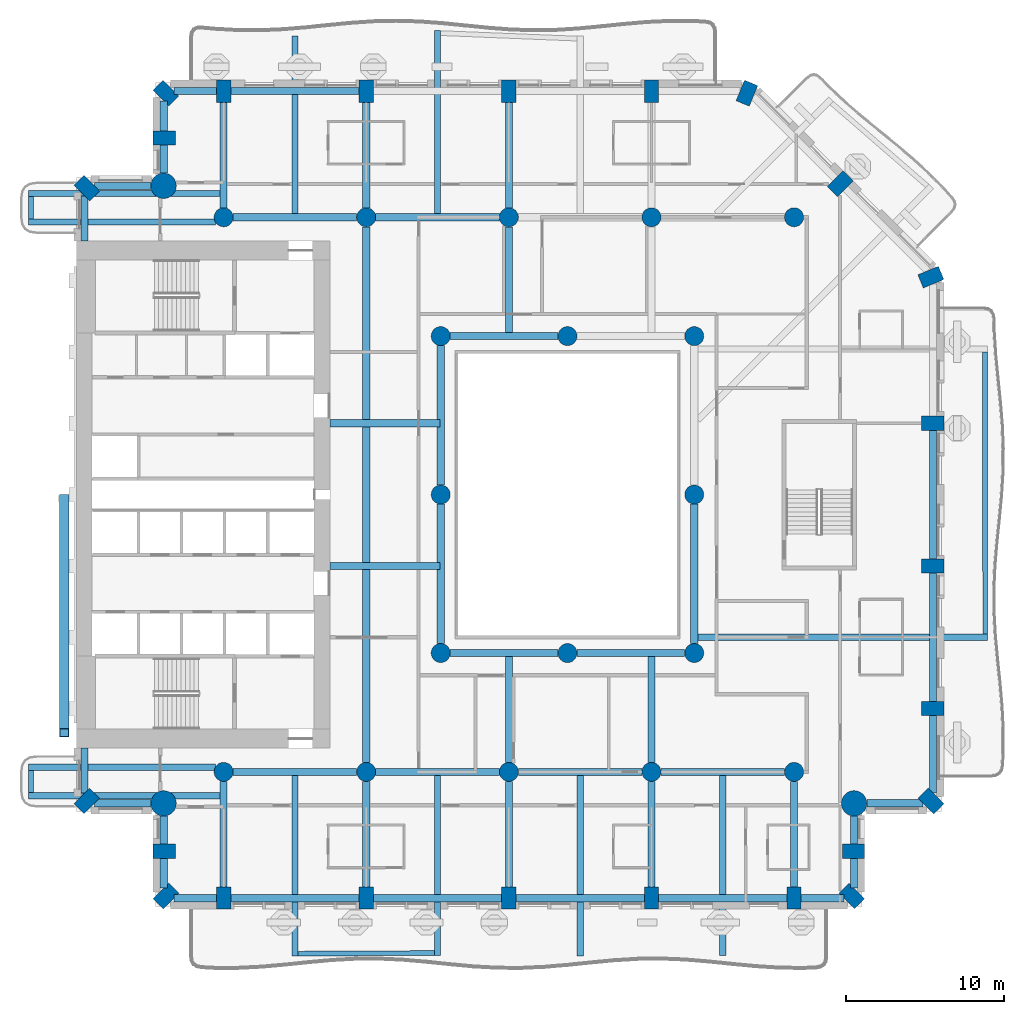
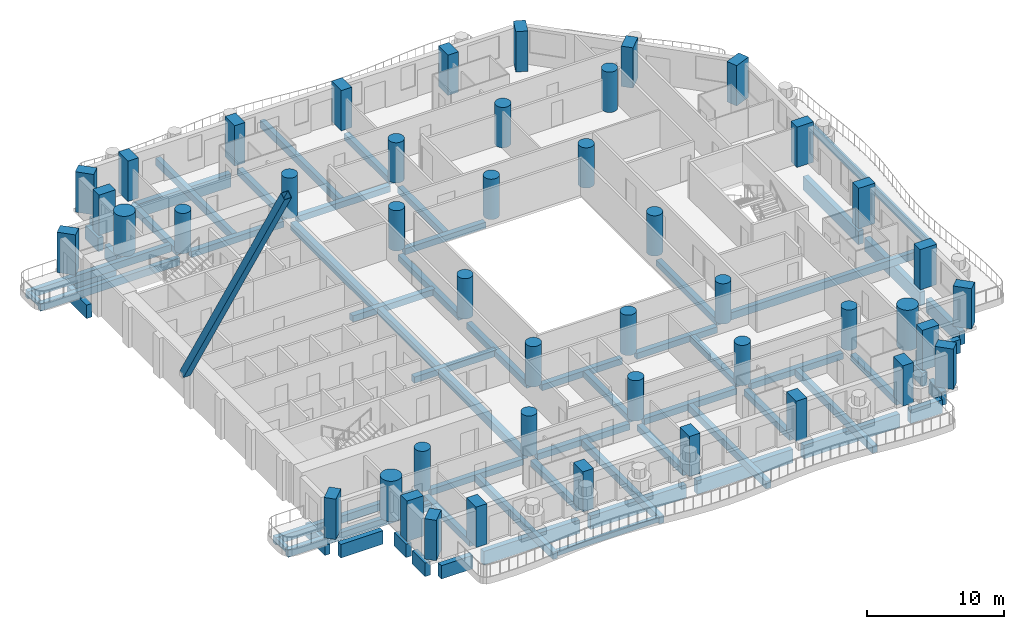
# One storey, part 1 of 20: 65 beams, 45 columns, 1 member.
"""IFC4 building model written with IfcOpenShell, lengths in metres."""

from ifc_helpers import new_model, si_unit, direction, frame, origin, origin_2d, place, context, subcontext, project, spatial, rectangle, hollow_rectangle, circle, extrude, material, material_profile, profile_set, type_object, element, save


model = new_model("IFC4")

# Units and contexts
model_context = context("Model", 3, precision=1e-05, world=origin(), true_north=direction((0.0, 1.0)))
body_context = subcontext(model_context, "Body", "Model", "MODEL_VIEW")
ifc_project = project(units=[si_unit("LENGTHUNIT", "METRE"), si_unit("AREAUNIT", "SQUARE_METRE"), si_unit("VOLUMEUNIT", "CUBIC_METRE"), si_unit("PLANEANGLEUNIT", "RADIAN"), si_unit("MASSUNIT", "GRAM", prefix="KILO")], contexts=[model_context])

# Site, building, storey
site_placement = place(None, origin())
site = spatial("IfcSite", under=ifc_project, at=site_placement, CompositionType="ELEMENT")
building_placement = place(site_placement, origin())
building = spatial("IfcBuilding", under=site, at=building_placement, Name="Cypress Arch Tower", CompositionType="ELEMENT")
storey_placement = place(building_placement, frame((0.0, 0.0, 73.5)))
storey = spatial("IfcBuildingStorey", under=building, at=storey_placement, Name="L12", CompositionType="ELEMENT", Elevation=73.5)

# Columns
ifc_material_1 = material(Name="Concrete C80/95", Category="concrete")
ifc_material_profile_1 = material_profile(ifc_material_1, rectangle(XDim=0.89990234375, YDim=1.39990234375, at=origin_2d()), Name="RC 900x1400")
ifc_profile_set_1 = profile_set([ifc_material_profile_1], Name="Concrete C80/95")
column_type_1 = type_object("IfcColumnType", Name="Column RC 900x1400 Concrete C80/95", PredefinedType="COLUMN", material=ifc_profile_set_1)
for number, where, z_axis, x_axis, name in (
    (1, (-29.3369140625, 19.3369140625, 0.0), (0.0, 0.0, 1.0), (-0.707106781187, -0.707106781187, 0.0), "Column L12 CA00"),
    (2, (-29.3369140625, -19.3369140625, 0.0), (0.0, 0.0, 1.0), (0.707106781187, -0.707106781187, 0.0), "Column L12 CA01"),
    (3, (-24.449951171875, -22.5, 0.0), (0.0, 0.0, 1.0), (0.0, -1.0, 0.0), "Column L12 CA03"),
    (4, (-24.3369140625, -25.3369140625, 0.0), (0.0, 0.0, 1.0), (0.707106781187, -0.707106781187, 0.0), "Column L12 CA04"),
    (5, (-20.699951171875, -25.449951171875, 0.0), (0.0, 0.0, 1.0), (1.0, 0.0, 0.0), "Column L12 CA05"),
    (6, (-11.699951171875, -25.449951171875, 0.0), (0.0, 0.0, 1.0), (1.0, 0.0, 0.0), "Column L12 CA06"),
    (7, (-2.699951171875, -25.449951171875, 0.0), (0.0, 0.0, 1.0), (1.0, 0.0, 0.0), "Column L12 CA07"),
    (8, (6.300048828125, -25.449951171875, 0.0), (0.0, 0.0, 1.0), (1.0, 0.0, 0.0), "Column L12 CA08"),
    (9, (15.300048828125, -25.449951171875, 0.0), (0.0, 0.0, 1.0), (1.0, 0.0, 0.0), "Column L12 CA09"),
    (10, (18.936767578125, -25.3369140625, 0.0), (0.0, 0.0, 1.0), (0.707106781187, 0.707106781187, 0.0), "Column L12 CA10"),
    (11, (19.050048828125, -22.5, 0.0), (0.0, 0.0, 1.0), (0.0, 1.0, 0.0), "Column L12 CA11"),
    (12, (23.936767578125, -19.3369140625, 0.0), (0.0, 0.0, 1.0), (0.707106781187, 0.707106781187, 0.0), "Column L12 CA13"),
    (13, (24.050048828125, -13.5, 0.0), (0.0, 0.0, 1.0), (0.0, 1.0, 0.0), "Column L12 CA14"),
    (14, (24.050048828125, -4.5, 0.0), (0.0, 0.0, 1.0), (0.0, 1.0, 0.0), "Column L12 CA15"),
    (15, (24.050048828125, 4.5, 0.0), (0.0, 0.0, 1.0), (0.0, 1.0, 0.0), "Column L12 CA16"),
    (16, (23.93115234375, 13.722900390625, 0.0), (0.0, 0.0, 1.0), (-0.382683496864, 0.923879505795, 0.0), "Column L12 CA17"),
    (17, (18.211181640625, 19.611083984375, 0.0), (0.0, 0.0, 1.0), (-0.707106781187, 0.707106781187, 0.0), "Column L12 CA18"),
    (18, (12.322998046875, 25.3310546875, 0.0), (0.0, 0.0, 1.0), (-0.923879505795, 0.382683496864, 0.0), "Column L12 CA19"),
    (19, (6.300048828125, 25.449951171875, 0.0), (0.0, 0.0, 1.0), (-1.0, 0.0, 0.0), "Column L12 CA20"),
    (20, (-2.699951171875, 25.449951171875, 0.0), (0.0, 0.0, 1.0), (-1.0, 0.0, 0.0), "Column L12 CA21"),
    (21, (-11.699951171875, 25.449951171875, 0.0), (0.0, 0.0, 1.0), (-1.0, 0.0, 0.0), "Column L12 CA22"),
    (22, (-20.699951171875, 25.449951171875, 0.0), (0.0, 0.0, 1.0), (-1.0, 0.0, 0.0), "Column L12 CA23"),
    (23, (-24.3369140625, 25.3369140625, 0.0), (0.0, 0.0, 1.0), (-0.707106781187, -0.707106781187, 0.0), "Column L12 CA24"),
    (24, (-24.449951171875, 22.5, 0.0), (0.0, 0.0, 1.0), (0.0, -1.0, 0.0), "Column L12 CA25"),
):
    element("IfcColumn", number, at=place(storey_placement, frame(where, z_axis=z_axis, x_axis=x_axis)), inside=storey, type_object=column_type_1, Name=name, PredefinedType="COLUMN", context=body_context, shape_type="SweptSolid", body=[
        extrude(rectangle(XDim=0.89990234375, YDim=1.39990234375, at=origin_2d()), origin(), (0.0, 0.0, 1.0), 3.60009765625),
    ])
ifc_material_2 = material(Name="Concrete C80/95", Category="concrete")
ifc_material_profile_2 = material_profile(ifc_material_2, circle(Radius=0.60009765625, at=origin_2d()), Name="RC D1200")
ifc_profile_set_2 = profile_set([ifc_material_profile_2], Name="Concrete C80/95")
column_type_2 = type_object("IfcColumnType", Name="Column RC D1200 Concrete C80/95", PredefinedType="COLUMN", material=ifc_profile_set_2)
for number, where, z_axis, x_axis, name in (
    (25, (-20.699951171875, -17.5, 0.0), (0.0, 0.0, 1.0), (1.0, 0.0, 0.0), "Column L12 CIC-L12-CI3S"),
    (26, (-11.699951171875, -17.5, 0.0), (0.0, 0.0, 1.0), (1.0, 0.0, 0.0), "Column L12 CIC-L12-CI4S"),
    (27, (-2.699951171875, -17.5, 0.0), (0.0, 0.0, 1.0), (1.0, 0.0, 0.0), "Column L12 CIC-L12-CI5S"),
    (28, (6.300048828125, -17.5, 0.0), (0.0, 0.0, 1.0), (1.0, 0.0, 0.0), "Column L12 CIC-L12-CI6S"),
    (29, (15.300048828125, -17.5, 0.0), (0.0, 0.0, 1.0), (1.0, 0.0, 0.0), "Column L12 CIC-L12-CI7S"),
    (30, (-20.699951171875, 17.5, 0.0), (0.0, 0.0, 1.0), (1.0, 0.0, 0.0), "Column L12 CIC-L12-CI3N"),
    (31, (-11.699951171875, 17.5, 0.0), (0.0, 0.0, 1.0), (1.0, 0.0, 0.0), "Column L12 CIC-L12-CI4N"),
    (32, (-2.699951171875, 17.5, 0.0), (0.0, 0.0, 1.0), (1.0, 0.0, 0.0), "Column L12 CIC-L12-CI5N"),
    (33, (6.300048828125, 17.5, 0.0), (0.0, 0.0, 1.0), (1.0, 0.0, 0.0), "Column L12 CIC-L12-CI6N"),
    (34, (15.300048828125, 17.5, 0.0), (0.0, 0.0, 1.0), (1.0, 0.0, 0.0), "Column L12 CIC-L12-CI7N"),
    (35, (-7.0, -10.0, 0.0), (0.0, 0.0, 1.0), (1.0, 0.0, 0.0), "Column L12 RNG-L12-G-7-10"),
    (36, (-7.0, 0.0, 0.0), (0.0, 0.0, 1.0), (1.0, 0.0, 0.0), "Column L12 RNG-L12-G-7+0"),
    (37, (-7.0, 10.0, 0.0), (0.0, 0.0, 1.0), (1.0, 0.0, 0.0), "Column L12 RNG-L12-G-7+10"),
    (38, (1.0, -10.0, 0.0), (0.0, 0.0, 1.0), (1.0, 0.0, 0.0), "Column L12 RNG-L12-G+1-10"),
    (39, (1.0, 10.0, 0.0), (0.0, 0.0, 1.0), (1.0, 0.0, 0.0), "Column L12 RNG-L12-G+1+10"),
    (40, (9.0, -10.0, 0.0), (0.0, 0.0, 1.0), (1.0, 0.0, 0.0), "Column L12 RNG-L12-G+9-10"),
    (41, (9.0, 0.0, 0.0), (0.0, 0.0, 1.0), (1.0, 0.0, 0.0), "Column L12 RNG-L12-G+9+0"),
    (42, (9.0, 10.0, 0.0), (0.0, 0.0, 1.0), (1.0, 0.0, 0.0), "Column L12 RNG-L12-G+9+10"),
):
    element("IfcColumn", number, at=place(storey_placement, frame(where, z_axis=z_axis, x_axis=x_axis)), inside=storey, type_object=column_type_2, Name=name, PredefinedType="COLUMN", context=body_context, shape_type="SweptSolid", body=[
        extrude(circle(Radius=0.60009765625, at=origin_2d()), origin(), (0.0, 0.0, 1.0), 3.60009765625),
    ])
ifc_material_3 = material(Name="Concrete C80/95", Category="concrete")
ifc_material_profile_3 = material_profile(ifc_material_3, circle(Radius=0.800048828125, at=origin_2d()), Name="RC D1600")
ifc_profile_set_3 = profile_set([ifc_material_profile_3], Name="Concrete C80/95")
column_type_3 = type_object("IfcColumnType", Name="Mega-column RC D1600 Concrete C80/95", PredefinedType="COLUMN", material=ifc_profile_set_3)
for number, where, z_axis, x_axis, name in (
    (43, (-24.48779296875, -19.48779296875, 0.0), (0.0, 0.0, 1.0), (1.0, 0.0, 0.0), "Column L12 CA02"),
    (44, (19.087890625, -19.48779296875, 0.0), (0.0, 0.0, 1.0), (1.0, 0.0, 0.0), "Column L12 CA12"),
    (45, (-24.48779296875, 19.48779296875, 0.0), (0.0, 0.0, 1.0), (1.0, 0.0, 0.0), "Column L12 CA26"),
):
    element("IfcColumn", number, at=place(storey_placement, frame(where, z_axis=z_axis, x_axis=x_axis)), inside=storey, type_object=column_type_3, Name=name, PredefinedType="COLUMN", context=body_context, shape_type="SweptSolid", body=[
        extrude(circle(Radius=0.800048828125, at=origin_2d()), origin(), (0.0, 0.0, 1.0), 3.60009765625),
    ])

# Beams
ifc_material_4 = material(Name="Concrete C50/60", Category="concrete")
ifc_material_profile_4 = material_profile(ifc_material_4, rectangle(XDim=0.300048828125, YDim=0.449951171875, at=origin_2d()), Name="RC 300x450")
ifc_profile_set_4 = profile_set([ifc_material_profile_4], Name="Concrete C50/60")
beam_type_1 = type_object("IfcBeamType", Name="Balcony edge beam RC 300x450 Concrete C50/60", PredefinedType="BEAM", material=ifc_profile_set_4)
beam_1_placement = place(storey_placement, frame((-16.0, -28.970458984375, -0.52490234375), z_axis=(0.999988762519, 0.004740763168, 0.0), x_axis=(-0.004740763168, 0.999988762519, 0.0)))
element("IfcBeam", 46, at=beam_1_placement, inside=storey, type_object=beam_type_1, Name="Balcony edge beam L12 A03", PredefinedType="BEAM", context=body_context, shape_type="SweptSolid", body=[
    extrude(rectangle(XDim=0.300048828125, YDim=0.449951171875, at=origin_2d()), origin(), (0.0, 0.0, 1.0), 8.60009765625),
])
ifc_material_5 = material(Name="Concrete C50/60", Category="concrete")
ifc_material_profile_5 = material_profile(ifc_material_5, rectangle(XDim=0.300048828125, YDim=0.64990234375, at=origin_2d()), Name="RC 300x650")
ifc_profile_set_5 = profile_set([ifc_material_profile_5], Name="Concrete C50/60")
beam_type_2 = type_object("IfcBeamType", Name="Balcony edge beam RC 300x650 Concrete C50/60", PredefinedType="BEAM", material=ifc_profile_set_5)
beam_2_placement = place(storey_placement, frame((27.3583984375, -8.800048828125, -0.625), z_axis=(-0.000576455798, 0.999999833849, 0.0), x_axis=(-0.999999833849, -0.000576455798, 0.0)))
element("IfcBeam", 47, at=beam_2_placement, inside=storey, type_object=beam_type_2, Name="Balcony edge beam L12 A06", PredefinedType="BEAM", context=body_context, shape_type="SweptSolid", body=[
    extrude(rectangle(XDim=0.300048828125, YDim=0.64990234375, at=origin_2d()), origin(), (0.0, 0.0, 1.0), 17.787841796875),
])
ifc_material_6 = material(Name="Concrete C50/60", Category="concrete")
ifc_material_profile_6 = material_profile(ifc_material_6, rectangle(XDim=0.300048828125, YDim=0.39990234375, at=origin_2d()), Name="RC 300x400")
ifc_profile_set_6 = profile_set([ifc_material_profile_6], Name="Concrete C50/60")
beam_type_3 = type_object("IfcBeamType", Name="Balcony stub beam RC 300x400 Concrete C50/60", PredefinedType="BEAM", material=ifc_profile_set_6)
for number, where, z_axis, x_axis, name in (
    (48, (-32.85009765625, 18.800048828125, -0.5), (0.0, -1.0, 0.0), (1.0, 0.0, 0.0), "Balcony stub beam L12 A00W0"),
    (49, (-32.85009765625, -17.39990234375, -0.5), (0.0, -1.0, 0.0), (1.0, 0.0, 0.0), "Balcony stub beam L12 A00W1"),
):
    element("IfcBeam", number, at=place(storey_placement, frame(where, z_axis=z_axis, x_axis=x_axis)), inside=storey, type_object=beam_type_3, Name=name, PredefinedType="BEAM", context=body_context, shape_type="SweptSolid", body=[
        extrude(rectangle(XDim=0.300048828125, YDim=0.39990234375, at=origin_2d()), origin(), (0.0, 0.0, 1.0), 1.400146484375),
    ])
ifc_material_7 = material(Name="Concrete C50/60", Category="concrete")
ifc_material_profile_7 = material_profile(ifc_material_7, rectangle(XDim=0.39990234375, YDim=0.64990234375, at=origin_2d()), Name="RC 400x650")
ifc_profile_set_7 = profile_set([ifc_material_profile_7], Name="Concrete C50/60")
beam_type_4 = type_object("IfcBeamType", Name="Cantilever beam RC 400x650 Concrete C50/60", PredefinedType="BEAM", material=ifc_profile_set_7)
beam_3_placement = place(storey_placement, frame((-20.925048828125, 19.0, -0.625), z_axis=(-1.0, 0.0, 0.0), x_axis=(0.0, -1.0, 0.0)))
element("IfcBeam", 50, at=beam_3_placement, inside=storey, type_object=beam_type_4, Name="Cantilever beam L12 A00 1", PredefinedType="BEAM", context=body_context, shape_type="SweptSolid", body=[
    extrude(rectangle(XDim=0.39990234375, YDim=0.64990234375, at=origin_2d()), origin(), (0.0, 0.0, 1.0), 12.074951171875),
])
for number, where, z_axis, x_axis, name in (
    (51, (-21.219482421875, 17.199951171875, -0.625), (-1.0, 0.0, 0.0), (0.0, -1.0, 0.0), "Cantilever beam L12 A00 2"),
    (52, (-21.219482421875, -17.199951171875, -0.625), (-1.0, 0.0, 0.0), (0.0, -1.0, 0.0), "Cantilever beam L12 A00 1"),
):
    element("IfcBeam", number, at=place(storey_placement, frame(where, z_axis=z_axis, x_axis=x_axis)), inside=storey, type_object=beam_type_4, Name=name, PredefinedType="BEAM", context=body_context, shape_type="SweptSolid", body=[
        extrude(rectangle(XDim=0.39990234375, YDim=0.64990234375, at=origin_2d()), origin(), (0.0, 0.0, 1.0), 11.780517578125),
    ])
beam_4_placement = place(storey_placement, frame((-20.925048828125, -19.0, -0.625), z_axis=(-1.0, 0.0, 0.0), x_axis=(0.0, -1.0, 0.0)))
element("IfcBeam", 53, at=beam_4_placement, inside=storey, type_object=beam_type_4, Name="Cantilever beam L12 A00 2", PredefinedType="BEAM", context=body_context, shape_type="SweptSolid", body=[
    extrude(rectangle(XDim=0.39990234375, YDim=0.64990234375, at=origin_2d()), origin(), (0.0, 0.0, 1.0), 12.074951171875),
])
beam_5_placement = place(storey_placement, frame((-16.199951171875, -17.72509765625, -0.625), z_axis=(0.0, -1.0, 0.0), x_axis=(1.0, 0.0, 0.0)))
element("IfcBeam", 54, at=beam_5_placement, inside=storey, type_object=beam_type_4, Name="Cantilever beam L12 A03 1", PredefinedType="BEAM", context=body_context, shape_type="SweptSolid", body=[
    extrude(rectangle(XDim=0.39990234375, YDim=0.64990234375, at=origin_2d()), origin(), (0.0, 0.0, 1.0), 11.3955078125),
])
beam_6_placement = place(storey_placement, frame((-7.199951171875, -17.72509765625, -0.625), z_axis=(0.0, -1.0, 0.0), x_axis=(1.0, 0.0, 0.0)))
element("IfcBeam", 55, at=beam_6_placement, inside=storey, type_object=beam_type_4, Name="Cantilever beam L12 A03 2", PredefinedType="BEAM", context=body_context, shape_type="SweptSolid", body=[
    extrude(rectangle(XDim=0.39990234375, YDim=0.64990234375, at=origin_2d()), origin(), (0.0, 0.0, 1.0), 11.3544921875),
])
beam_7_placement = place(storey_placement, frame((1.800048828125, -17.72509765625, -0.625), z_axis=(0.0, -1.0, 0.0), x_axis=(1.0, 0.0, 0.0)))
element("IfcBeam", 56, at=beam_7_placement, inside=storey, type_object=beam_type_4, Name="Cantilever beam L12 A03 3", PredefinedType="BEAM", context=body_context, shape_type="SweptSolid", body=[
    extrude(rectangle(XDim=0.39990234375, YDim=0.64990234375, at=origin_2d()), origin(), (0.0, 0.0, 1.0), 11.39501953125),
])
beam_8_placement = place(storey_placement, frame((10.800048828125, -17.72509765625, -0.625), z_axis=(0.0, -1.0, 0.0), x_axis=(1.0, 0.0, 0.0)))
element("IfcBeam", 57, at=beam_8_placement, inside=storey, type_object=beam_type_4, Name="Cantilever beam L12 A03 4", PredefinedType="BEAM", context=body_context, shape_type="SweptSolid", body=[
    extrude(rectangle(XDim=0.39990234375, YDim=0.64990234375, at=origin_2d()), origin(), (0.0, 0.0, 1.0), 11.35498046875),
])
beam_9_placement = place(storey_placement, frame((9.22509765625, -9.0, -0.625), z_axis=(1.0, 0.0, 0.0), x_axis=(0.0, 1.0, 0.0)))
element("IfcBeam", 58, at=beam_9_placement, inside=storey, type_object=beam_type_4, Name="Cantilever beam L12 A06 1", PredefinedType="BEAM", context=body_context, shape_type="SweptSolid", body=[
    extrude(rectangle(XDim=0.39990234375, YDim=0.64990234375, at=origin_2d()), origin(), (0.0, 0.0, 1.0), 18.283447265625),
])
beam_10_placement = place(storey_placement, frame((-7.199951171875, 17.72509765625, -0.625), z_axis=(0.0, 1.0, 0.0), x_axis=(-1.0, 0.0, 0.0)))
element("IfcBeam", 59, at=beam_10_placement, inside=storey, type_object=beam_type_4, Name="Cantilever beam L12 A08 2", PredefinedType="BEAM", context=body_context, shape_type="SweptSolid", body=[
    extrude(rectangle(XDim=0.39990234375, YDim=0.64990234375, at=origin_2d()), origin(), (0.0, 0.0, 1.0), 11.54736328125),
])
beam_11_placement = place(storey_placement, frame((-16.199951171875, 17.72509765625, -0.625), z_axis=(0.0, 1.0, 0.0), x_axis=(-1.0, 0.0, 0.0)))
element("IfcBeam", 60, at=beam_11_placement, inside=storey, type_object=beam_type_4, Name="Cantilever beam L12 A08 3", PredefinedType="BEAM", context=body_context, shape_type="SweptSolid", body=[
    extrude(rectangle(XDim=0.39990234375, YDim=0.64990234375, at=origin_2d()), origin(), (0.0, 0.0, 1.0), 11.2041015625),
])
ifc_material_8 = material(Name="Concrete C50/60", Category="concrete")
ifc_material_profile_8 = material_profile(ifc_material_8, rectangle(XDim=0.449951171875, YDim=0.550048828125, at=origin_2d()), Name="RC 450x550")
ifc_profile_set_8 = profile_set([ifc_material_profile_8], Name="Concrete C50/60")
beam_type_5 = type_object("IfcBeamType", Name="Floor beam RC 450x550 Concrete C50/60", PredefinedType="BEAM", material=ifc_profile_set_8)
for number, where, z_axis, x_axis, name in (
    (61, (-7.0, -9.39990234375, -0.574951171875), (0.0, 1.0, 0.0), (-1.0, 0.0, 0.0), "Floor beam L12 RB001"),
    (62, (-7.0, 0.60009765625, -0.574951171875), (0.0, 1.0, 0.0), (-1.0, 0.0, 0.0), "Floor beam L12 RB002"),
    (63, (9.0, -9.39990234375, -0.574951171875), (0.0, 1.0, 0.0), (-1.0, 0.0, 0.0), "Floor beam L12 RB003"),
):
    element("IfcBeam", number, at=place(storey_placement, frame(where, z_axis=z_axis, x_axis=x_axis)), inside=storey, type_object=beam_type_5, Name=name, PredefinedType="BEAM", context=body_context, shape_type="SweptSolid", body=[
        extrude(rectangle(XDim=0.449951171875, YDim=0.550048828125, at=origin_2d()), origin(), (0.0, 0.0, 1.0), 8.7998046875),
    ])
for number, where, z_axis, x_axis, name in (
    (64, (-6.39990234375, -10.0, -0.574951171875), (1.0, 0.0, 0.0), (0.0, 1.0, 0.0), "Floor beam L12 RB005"),
    (65, (1.60009765625, -10.0, -0.574951171875), (1.0, 0.0, 0.0), (0.0, 1.0, 0.0), "Floor beam L12 RB006"),
    (66, (-6.39990234375, 10.0, -0.574951171875), (1.0, 0.0, 0.0), (0.0, 1.0, 0.0), "Floor beam L12 RB007"),
):
    element("IfcBeam", number, at=place(storey_placement, frame(where, z_axis=z_axis, x_axis=x_axis)), inside=storey, type_object=beam_type_5, Name=name, PredefinedType="BEAM", context=body_context, shape_type="SweptSolid", body=[
        extrude(rectangle(XDim=0.449951171875, YDim=0.550048828125, at=origin_2d()), origin(), (0.0, 0.0, 1.0), 6.7998046875),
    ])
for number, where, z_axis, x_axis, name in (
    (67, (-20.10009765625, -17.5, -0.574951171875), (1.0, 0.0, 0.0), (0.0, 1.0, 0.0), "Floor beam L12 FB009"),
    (68, (-11.10009765625, -17.5, -0.574951171875), (1.0, 0.0, 0.0), (0.0, 1.0, 0.0), "Floor beam L12 FB010"),
    (69, (-2.10009765625, -17.5, -0.574951171875), (1.0, 0.0, 0.0), (0.0, 1.0, 0.0), "Floor beam L12 FB011"),
    (70, (6.89990234375, -17.5, -0.574951171875), (1.0, 0.0, 0.0), (0.0, 1.0, 0.0), "Floor beam L12 FB012"),
):
    element("IfcBeam", number, at=place(storey_placement, frame(where, z_axis=z_axis, x_axis=x_axis)), inside=storey, type_object=beam_type_5, Name=name, PredefinedType="BEAM", context=body_context, shape_type="SweptSolid", body=[
        extrude(rectangle(XDim=0.449951171875, YDim=0.550048828125, at=origin_2d()), origin(), (0.0, 0.0, 1.0), 7.800048828125),
    ])
for number, where, z_axis, x_axis, name in (
    (71, (-14.0, -4.5, -0.574951171875), (1.0, 0.0, 0.0), (0.0, 1.0, 0.0), "Floor beam L12 FB013"),
    (72, (-14.0, 4.5, -0.574951171875), (1.0, 0.0, 0.0), (0.0, 1.0, 0.0), "Floor beam L12 FB014"),
):
    element("IfcBeam", number, at=place(storey_placement, frame(where, z_axis=z_axis, x_axis=x_axis)), inside=storey, type_object=beam_type_5, Name=name, PredefinedType="BEAM", context=body_context, shape_type="SweptSolid", body=[
        extrude(rectangle(XDim=0.449951171875, YDim=0.550048828125, at=origin_2d()), origin(), (0.0, 0.0, 1.0), 6.949951171875),
    ])
for number, where, z_axis, x_axis, name in (
    (73, (-20.10009765625, 17.5, -0.574951171875), (1.0, 0.0, 0.0), (0.0, 1.0, 0.0), "Floor beam L12 FB015"),
    (74, (-11.10009765625, 17.5, -0.574951171875), (1.0, 0.0, 0.0), (0.0, 1.0, 0.0), "Floor beam L12 FB016"),
):
    element("IfcBeam", number, at=place(storey_placement, frame(where, z_axis=z_axis, x_axis=x_axis)), inside=storey, type_object=beam_type_5, Name=name, PredefinedType="BEAM", context=body_context, shape_type="SweptSolid", body=[
        extrude(rectangle(XDim=0.449951171875, YDim=0.550048828125, at=origin_2d()), origin(), (0.0, 0.0, 1.0), 7.800048828125),
    ])
for number, where, z_axis, x_axis, name in (
    (75, (-20.699951171875, -24.75, -0.574951171875), (0.0, 1.0, 0.0), (-1.0, 0.0, 0.0), "Floor beam L12 FB019"),
    (76, (-20.699951171875, 18.10009765625, -0.574951171875), (0.0, 1.0, 0.0), (-1.0, 0.0, 0.0), "Floor beam L12 FB020"),
    (77, (-11.699951171875, -24.75, -0.574951171875), (0.0, 1.0, 0.0), (-1.0, 0.0, 0.0), "Floor beam L12 FB021"),
):
    element("IfcBeam", number, at=place(storey_placement, frame(where, z_axis=z_axis, x_axis=x_axis)), inside=storey, type_object=beam_type_5, Name=name, PredefinedType="BEAM", context=body_context, shape_type="SweptSolid", body=[
        extrude(rectangle(XDim=0.449951171875, YDim=0.550048828125, at=origin_2d()), origin(), (0.0, 0.0, 1.0), 6.64990234375),
    ])
beam_12_placement = place(storey_placement, frame((-11.699951171875, -4.27490234375, -0.574951171875), z_axis=(0.0, 1.0, 0.0), x_axis=(-1.0, 0.0, 0.0)))
element("IfcBeam", 78, at=beam_12_placement, inside=storey, type_object=beam_type_5, Name="Floor beam L12 FB023", PredefinedType="BEAM", context=body_context, shape_type="SweptSolid", body=[
    extrude(rectangle(XDim=0.449951171875, YDim=0.550048828125, at=origin_2d()), origin(), (0.0, 0.0, 1.0), 8.5498046875),
])
for number, where, z_axis, x_axis, name in (
    (79, (-11.699951171875, 18.10009765625, -0.574951171875), (0.0, 1.0, 0.0), (-1.0, 0.0, 0.0), "Floor beam L12 FB025"),
    (80, (-2.699951171875, -24.75, -0.574951171875), (0.0, 1.0, 0.0), (-1.0, 0.0, 0.0), "Floor beam L12 FB026"),
):
    element("IfcBeam", number, at=place(storey_placement, frame(where, z_axis=z_axis, x_axis=x_axis)), inside=storey, type_object=beam_type_5, Name=name, PredefinedType="BEAM", context=body_context, shape_type="SweptSolid", body=[
        extrude(rectangle(XDim=0.449951171875, YDim=0.550048828125, at=origin_2d()), origin(), (0.0, 0.0, 1.0), 6.64990234375),
    ])
for number, where, z_axis, x_axis, name in (
    (81, (-2.699951171875, -16.89990234375, -0.574951171875), (0.0, 1.0, 0.0), (-1.0, 0.0, 0.0), "Floor beam L12 FB027"),
    (82, (-2.699951171875, 10.22509765625, -0.574951171875), (0.0, 1.0, 0.0), (-1.0, 0.0, 0.0), "Floor beam L12 FB028"),
):
    element("IfcBeam", number, at=place(storey_placement, frame(where, z_axis=z_axis, x_axis=x_axis)), inside=storey, type_object=beam_type_5, Name=name, PredefinedType="BEAM", context=body_context, shape_type="SweptSolid", body=[
        extrude(rectangle(XDim=0.449951171875, YDim=0.550048828125, at=origin_2d()), origin(), (0.0, 0.0, 1.0), 6.6748046875),
    ])
for number, where, z_axis, x_axis, name in (
    (83, (-2.699951171875, 18.10009765625, -0.574951171875), (0.0, 1.0, 0.0), (-1.0, 0.0, 0.0), "Floor beam L12 FB029"),
    (84, (6.300048828125, -24.75, -0.574951171875), (0.0, 1.0, 0.0), (-1.0, 0.0, 0.0), "Floor beam L12 FB030"),
):
    element("IfcBeam", number, at=place(storey_placement, frame(where, z_axis=z_axis, x_axis=x_axis)), inside=storey, type_object=beam_type_5, Name=name, PredefinedType="BEAM", context=body_context, shape_type="SweptSolid", body=[
        extrude(rectangle(XDim=0.449951171875, YDim=0.550048828125, at=origin_2d()), origin(), (0.0, 0.0, 1.0), 6.64990234375),
    ])
beam_13_placement = place(storey_placement, frame((6.300048828125, -16.89990234375, -0.574951171875), z_axis=(0.0, 1.0, 0.0), x_axis=(-1.0, 0.0, 0.0)))
element("IfcBeam", 85, at=beam_13_placement, inside=storey, type_object=beam_type_5, Name="Floor beam L12 FB031", PredefinedType="BEAM", context=body_context, shape_type="SweptSolid", body=[
    extrude(rectangle(XDim=0.449951171875, YDim=0.550048828125, at=origin_2d()), origin(), (0.0, 0.0, 1.0), 6.6748046875),
])
beam_14_placement = place(storey_placement, frame((15.300048828125, -24.75, -0.574951171875), z_axis=(0.0, 1.0, 0.0), x_axis=(-1.0, 0.0, 0.0)))
element("IfcBeam", 86, at=beam_14_placement, inside=storey, type_object=beam_type_5, Name="Floor beam L12 FB034", PredefinedType="BEAM", context=body_context, shape_type="SweptSolid", body=[
    extrude(rectangle(XDim=0.449951171875, YDim=0.550048828125, at=origin_2d()), origin(), (0.0, 0.0, 1.0), 6.64990234375),
])
ifc_material_9 = material(Name="Concrete C50/60", Category="concrete")
ifc_material_profile_9 = material_profile(ifc_material_9, rectangle(XDim=0.5, YDim=0.699951171875, at=origin_2d()), Name="RC 500x700")
ifc_profile_set_9 = profile_set([ifc_material_profile_9], Name="Concrete C50/60")
beam_type_6 = type_object("IfcBeamType", Name="Floor beam RC 500x700 Concrete C50/60", PredefinedType="BEAM", material=ifc_profile_set_9)
for number, where, z_axis, x_axis, name in (
    (87, (-11.699951171875, -16.89990234375, -0.64990234375), (0.0, 1.0, 0.0), (-1.0, 0.0, 0.0), "Floor beam L12 FB022"),
    (88, (-11.699951171875, 4.72509765625, -0.64990234375), (0.0, 1.0, 0.0), (-1.0, 0.0, 0.0), "Floor beam L12 FB024"),
):
    element("IfcBeam", number, at=place(storey_placement, frame(where, z_axis=z_axis, x_axis=x_axis)), inside=storey, type_object=beam_type_6, Name=name, PredefinedType="BEAM", context=body_context, shape_type="SweptSolid", body=[
        extrude(rectangle(XDim=0.5, YDim=0.699951171875, at=origin_2d()), origin(), (0.0, 0.0, 1.0), 12.1748046875),
    ])
ifc_material_10 = material(Name="Concrete C50/60", Category="concrete")
ifc_material_profile_10 = material_profile(ifc_material_10, rectangle(XDim=0.449951171875, YDim=1.199951171875, at=origin_2d()), Name="RC 450x1200")
ifc_profile_set_10 = profile_set([ifc_material_profile_10], Name="Concrete C50/60")
beam_type_7 = type_object("IfcBeamType", Name="Spandrel beam RC 450x1200 Concrete C50/60", PredefinedType="SPANDREL", material=ifc_profile_set_10)
for number, where, z_axis, x_axis, name in (
    (89, (-29.47509765625, 18.838623046875, -1.550048828125), (0.0, -1.0, 0.0), (1.0, 0.0, 0.0), "Spandrel beam L12 BA00-0"),
    (90, (-29.47509765625, -16.0, -1.550048828125), (0.0, -1.0, 0.0), (1.0, 0.0, 0.0), "Spandrel beam L12 BA00-0"),
):
    element("IfcBeam", number, at=place(storey_placement, frame(where, z_axis=z_axis, x_axis=x_axis)), inside=storey, type_object=beam_type_7, Name=name, PredefinedType="SPANDREL", context=body_context, shape_type="SweptSolid", body=[
        extrude(rectangle(XDim=0.449951171875, YDim=1.199951171875, at=origin_2d()), origin(), (0.0, 0.0, 1.0), 2.838623046875),
    ])
beam_15_placement = place(storey_placement, frame((-28.838623046875, -19.47509765625, -1.550048828125), z_axis=(1.0, 0.0, 0.0), x_axis=(0.0, 1.0, 0.0)))
element("IfcBeam", 91, at=beam_15_placement, inside=storey, type_object=beam_type_7, Name="Spandrel beam L12 BA01-0", PredefinedType="SPANDREL", context=body_context, shape_type="SweptSolid", body=[
    extrude(rectangle(XDim=0.449951171875, YDim=1.199951171875, at=origin_2d()), origin(), (0.0, 0.0, 1.0), 3.551025390625),
])
beam_16_placement = place(storey_placement, frame((-24.47509765625, -20.28759765625, -1.550048828125), z_axis=(0.0, -1.0, 0.0), x_axis=(1.0, 0.0, 0.0)))
element("IfcBeam", 92, at=beam_16_placement, inside=storey, type_object=beam_type_7, Name="Spandrel beam L12 BA02-0", PredefinedType="SPANDREL", context=body_context, shape_type="SweptSolid", body=[
    extrude(rectangle(XDim=0.449951171875, YDim=1.199951171875, at=origin_2d()), origin(), (0.0, 0.0, 1.0), 1.762451171875),
])
beam_17_placement = place(storey_placement, frame((-24.47509765625, -22.949951171875, -1.550048828125), z_axis=(0.0, -1.0, 0.0), x_axis=(1.0, 0.0, 0.0)))
element("IfcBeam", 93, at=beam_17_placement, inside=storey, type_object=beam_type_7, Name="Spandrel beam L12 BA02-1", PredefinedType="SPANDREL", context=body_context, shape_type="SweptSolid", body=[
    extrude(rectangle(XDim=0.449951171875, YDim=1.199951171875, at=origin_2d()), origin(), (0.0, 0.0, 1.0), 1.888671875),
])
beam_18_placement = place(storey_placement, frame((-23.838623046875, -25.47509765625, -1.550048828125), z_axis=(1.0, 0.0, 0.0), x_axis=(0.0, 1.0, 0.0)))
element("IfcBeam", 94, at=beam_18_placement, inside=storey, type_object=beam_type_7, Name="Spandrel beam L12 BA03-0", PredefinedType="SPANDREL", context=body_context, shape_type="SweptSolid", body=[
    extrude(rectangle(XDim=0.449951171875, YDim=1.199951171875, at=origin_2d()), origin(), (0.0, 0.0, 1.0), 2.688720703125),
])
for number, where, z_axis, x_axis, name in (
    (95, (-20.25, -25.47509765625, -1.550048828125), (1.0, 0.0, 0.0), (0.0, 1.0, 0.0), "Spandrel beam L12 BA03-1"),
    (96, (-11.25, -25.47509765625, -1.550048828125), (1.0, 0.0, 0.0), (0.0, 1.0, 0.0), "Spandrel beam L12 BA03-2"),
    (97, (-2.25, -25.47509765625, -1.550048828125), (1.0, 0.0, 0.0), (0.0, 1.0, 0.0), "Spandrel beam L12 BA03-3"),
    (98, (6.75, -25.47509765625, -1.550048828125), (1.0, 0.0, 0.0), (0.0, 1.0, 0.0), "Spandrel beam L12 BA03-4"),
):
    element("IfcBeam", number, at=place(storey_placement, frame(where, z_axis=z_axis, x_axis=x_axis)), inside=storey, type_object=beam_type_7, Name=name, PredefinedType="SPANDREL", context=body_context, shape_type="SweptSolid", body=[
        extrude(rectangle(XDim=0.449951171875, YDim=1.199951171875, at=origin_2d()), origin(), (0.0, 0.0, 1.0), 8.10009765625),
    ])
beam_19_placement = place(storey_placement, frame((15.75, -25.47509765625, -1.550048828125), z_axis=(1.0, 0.0, 0.0), x_axis=(0.0, 1.0, 0.0)))
element("IfcBeam", 99, at=beam_19_placement, inside=storey, type_object=beam_type_7, Name="Spandrel beam L12 BA03-5", PredefinedType="SPANDREL", context=body_context, shape_type="SweptSolid", body=[
    extrude(rectangle(XDim=0.449951171875, YDim=1.199951171875, at=origin_2d()), origin(), (0.0, 0.0, 1.0), 2.688720703125),
])
beam_20_placement = place(storey_placement, frame((19.074951171875, -24.838623046875, -1.550048828125), z_axis=(0.0, 1.0, 0.0), x_axis=(-1.0, 0.0, 0.0)))
element("IfcBeam", 100, at=beam_20_placement, inside=storey, type_object=beam_type_7, Name="Spandrel beam L12 BA04-0", PredefinedType="SPANDREL", context=body_context, shape_type="SweptSolid", body=[
    extrude(rectangle(XDim=0.449951171875, YDim=1.199951171875, at=origin_2d()), origin(), (0.0, 0.0, 1.0), 1.888671875),
])
beam_21_placement = place(storey_placement, frame((19.074951171875, -22.050048828125, -1.550048828125), z_axis=(0.0, 1.0, 0.0), x_axis=(-1.0, 0.0, 0.0)))
element("IfcBeam", 101, at=beam_21_placement, inside=storey, type_object=beam_type_7, Name="Spandrel beam L12 BA04-1", PredefinedType="SPANDREL", context=body_context, shape_type="SweptSolid", body=[
    extrude(rectangle(XDim=0.449951171875, YDim=1.199951171875, at=origin_2d()), origin(), (0.0, 0.0, 1.0), 1.762451171875),
])
beam_22_placement = place(storey_placement, frame((19.887451171875, -19.47509765625, -1.550048828125), z_axis=(1.0, 0.0, 0.0), x_axis=(0.0, 1.0, 0.0)))
element("IfcBeam", 102, at=beam_22_placement, inside=storey, type_object=beam_type_7, Name="Spandrel beam L12 BA05-0", PredefinedType="SPANDREL", context=body_context, shape_type="SweptSolid", body=[
    extrude(rectangle(XDim=0.449951171875, YDim=1.199951171875, at=origin_2d()), origin(), (0.0, 0.0, 1.0), 3.55126953125),
])
beam_23_placement = place(storey_placement, frame((24.074951171875, -18.838623046875, -1.550048828125), z_axis=(0.0, 1.0, 0.0), x_axis=(-1.0, 0.0, 0.0)))
element("IfcBeam", 103, at=beam_23_placement, inside=storey, type_object=beam_type_7, Name="Spandrel beam L12 BA06-0", PredefinedType="SPANDREL", context=body_context, shape_type="SweptSolid", body=[
    extrude(rectangle(XDim=0.449951171875, YDim=1.199951171875, at=origin_2d()), origin(), (0.0, 0.0, 1.0), 4.888671875),
])
for number, where, z_axis, x_axis, name in (
    (104, (24.074951171875, -13.050048828125, -1.550048828125), (0.0, 1.0, 0.0), (-1.0, 0.0, 0.0), "Spandrel beam L12 BA06-1"),
    (105, (24.074951171875, -4.050048828125, -1.550048828125), (0.0, 1.0, 0.0), (-1.0, 0.0, 0.0), "Spandrel beam L12 BA06-2"),
    (106, (-12.14990234375, 25.47509765625, -1.550048828125), (-1.0, 0.0, 0.0), (0.0, -1.0, 0.0), "Spandrel beam L12 BA08-3"),
):
    element("IfcBeam", number, at=place(storey_placement, frame(where, z_axis=z_axis, x_axis=x_axis)), inside=storey, type_object=beam_type_7, Name=name, PredefinedType="SPANDREL", context=body_context, shape_type="SweptSolid", body=[
        extrude(rectangle(XDim=0.449951171875, YDim=1.199951171875, at=origin_2d()), origin(), (0.0, 0.0, 1.0), 8.10009765625),
    ])
beam_24_placement = place(storey_placement, frame((-21.14990234375, 25.47509765625, -1.550048828125), z_axis=(-1.0, 0.0, 0.0), x_axis=(0.0, -1.0, 0.0)))
element("IfcBeam", 107, at=beam_24_placement, inside=storey, type_object=beam_type_7, Name="Spandrel beam L12 BA08-4", PredefinedType="SPANDREL", context=body_context, shape_type="SweptSolid", body=[
    extrude(rectangle(XDim=0.449951171875, YDim=1.199951171875, at=origin_2d()), origin(), (0.0, 0.0, 1.0), 2.688720703125),
])
beam_25_placement = place(storey_placement, frame((-24.47509765625, 24.838623046875, -1.550048828125), z_axis=(0.0, -1.0, 0.0), x_axis=(1.0, 0.0, 0.0)))
element("IfcBeam", 108, at=beam_25_placement, inside=storey, type_object=beam_type_7, Name="Spandrel beam L12 BA09-0", PredefinedType="SPANDREL", context=body_context, shape_type="SweptSolid", body=[
    extrude(rectangle(XDim=0.449951171875, YDim=1.199951171875, at=origin_2d()), origin(), (0.0, 0.0, 1.0), 1.888671875),
])
beam_26_placement = place(storey_placement, frame((-24.47509765625, 22.050048828125, -1.550048828125), z_axis=(0.0, -1.0, 0.0), x_axis=(1.0, 0.0, 0.0)))
element("IfcBeam", 109, at=beam_26_placement, inside=storey, type_object=beam_type_7, Name="Spandrel beam L12 BA09-1", PredefinedType="SPANDREL", context=body_context, shape_type="SweptSolid", body=[
    extrude(rectangle(XDim=0.449951171875, YDim=1.199951171875, at=origin_2d()), origin(), (0.0, 0.0, 1.0), 1.762451171875),
])
beam_27_placement = place(storey_placement, frame((-25.28759765625, 19.47509765625, -1.550048828125), z_axis=(-1.0, 0.0, 0.0), x_axis=(0.0, -1.0, 0.0)))
element("IfcBeam", 110, at=beam_27_placement, inside=storey, type_object=beam_type_7, Name="Spandrel beam L12 BA10-0", PredefinedType="SPANDREL", context=body_context, shape_type="SweptSolid", body=[
    extrude(rectangle(XDim=0.449951171875, YDim=1.199951171875, at=origin_2d()), origin(), (0.0, 0.0, 1.0), 3.551025390625),
])

# Member
ifc_material_11 = material(Name="Steel ASTM A501 Grade B", Category="steel")
ifc_material_profile_11 = material_profile(ifc_material_11, hollow_rectangle(XDim=0.609619140625, YDim=0.609619140625, WallThickness=0.023681640625, at=origin_2d()), Name="HSS 24x24x1")
ifc_profile_set_11 = profile_set([ifc_material_profile_11], Name="Steel ASTM A501 Grade B")
member_type = type_object("IfcMemberType", Name="West bracing diagonal HSS 24x24x1 Steel ASTM A501 Grade B", PredefinedType="BRACE", material=ifc_profile_set_11)
member_placement = place(storey_placement, frame((-30.7548828125, -15.03369140625, 28.05615234375), z_axis=(0.0, 0.511525029227, -0.859268377443), x_axis=(-1.0, 0.0, 0.0)))
element("IfcMember", 111, at=member_placement, inside=storey, type_object=member_type, Name="West bracing diagonal 1B", PredefinedType="BRACE", context=body_context, shape_type="SweptSolid", body=[
    extrude(hollow_rectangle(XDim=0.609619140625, YDim=0.609619140625, WallThickness=0.023681640625, at=origin_2d()), origin(), (0.0, 0.0, 1.0), 28.87841796875),
])

save(model, "model.ifc")
